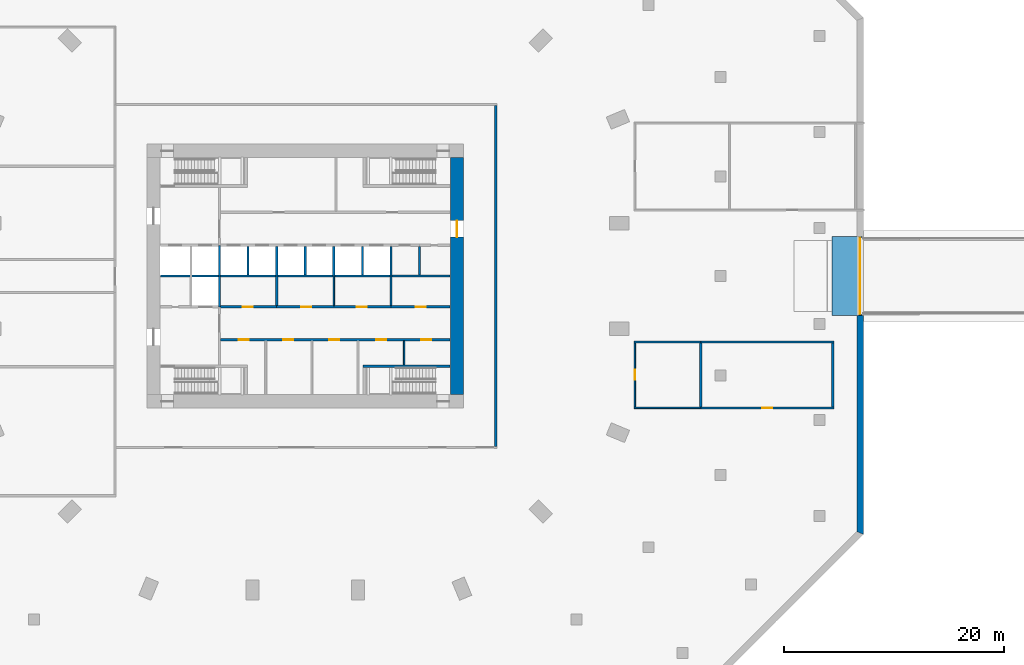
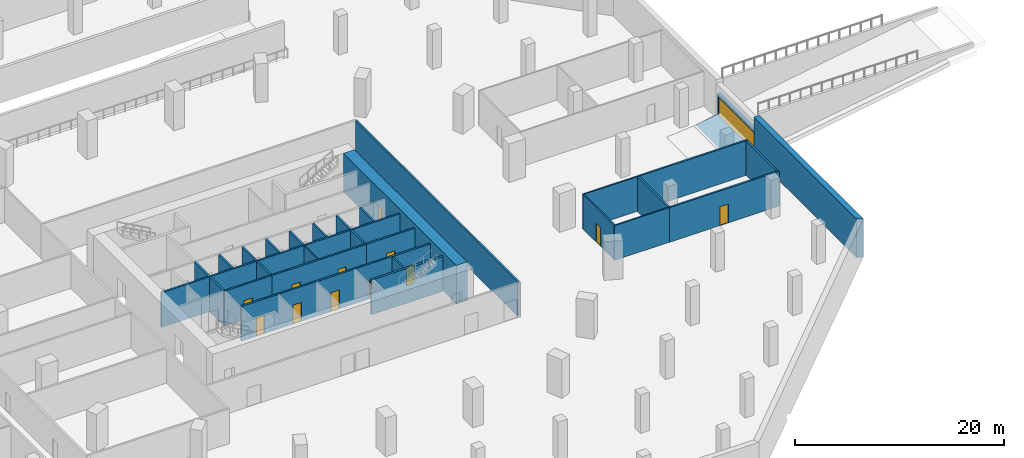
# One storey, part 6 of 11: 32 walls, 13 doors, 13 openings.
"""IFC4 building model written with IfcOpenShell, lengths in metres."""

from ifc_helpers import new_model, si_unit, direction, frame, frame_2d, origin, place, context, subcontext, project, spatial, polyline, rectangle, outline, extrude, material, layer, layer_set, type_object, element, fill, save


model = new_model("IFC4")

# Units and contexts
model_context = context("Model", 3, precision=1e-05, world=origin(), true_north=direction((0.0, 1.0)))
body_context = subcontext(model_context, "Body", "Model", "MODEL_VIEW")
ifc_project = project(units=[si_unit("LENGTHUNIT", "METRE"), si_unit("AREAUNIT", "SQUARE_METRE"), si_unit("VOLUMEUNIT", "CUBIC_METRE"), si_unit("PLANEANGLEUNIT", "RADIAN"), si_unit("MASSUNIT", "GRAM", prefix="KILO")], contexts=[model_context])

# Site, building, storey
site_placement = place(None, origin())
site = spatial("IfcSite", under=ifc_project, at=site_placement, CompositionType="ELEMENT")
building_placement = place(site_placement, origin())
building = spatial("IfcBuilding", under=site, at=building_placement, Name="Msitu Wima Residences", CompositionType="ELEMENT")
storey_placement = place(building_placement, frame((0.0, 0.0, -4.5)))
storey = spatial("IfcBuildingStorey", under=building, at=storey_placement, Name="B1", CompositionType="ELEMENT", Elevation=-4.5)

# Wall, opening, door
ifc_material_1 = material(Name="Concrete C80/95", Category="concrete")
ifc_layer_1 = layer(ifc_material_1, 1.199951171875)
ifc_layer_set_1 = layer_set([ifc_layer_1], Name="Concrete C80/95")
wall_type_1 = type_object("IfcWallType", Name="Core wall CW1200 C80/95", PredefinedType="SHEAR", material=ifc_layer_set_1)
wall_1_placement = place(storey_placement, frame((13.800048828125, -10.800048828125, 0.0), z_axis=(0.0, 0.0, 1.0), x_axis=(0.0, 1.0, 0.0)))
wall_1 = element("IfcWall", 1, at=wall_1_placement, inside=storey, type_object=wall_type_1, Name="Core wall", PredefinedType="SHEAR", context=body_context, shape_type="SweptSolid", body=[
    extrude(rectangle(XDim=21.60009765625, YDim=1.199951171875, at=frame_2d((10.800048828125, 0.0))), origin(), (0.0, 0.0, 1.0), 4.5),
])
opening_1_placement = place(wall_1_placement, frame((14.35009765625, 0.0, 0.0)))
opening_1 = element("IfcOpeningElement", 2, at=opening_1_placement, cuts=wall_1, Name="Opening DB1.037", PredefinedType="OPENING", context=body_context, shape_type="SweptSolid", body=[
    extrude(rectangle(XDim=1.5, YDim=2.39990234375, at=frame_2d((0.75, 1.199951171875))), frame((0.0, 0.60986328125, 0.0), z_axis=(0.0, -1.0, 0.0), x_axis=(1.0, 0.0, 0.0)), (0.0, 0.0, 1.0), 1.219970703125),
])
ifc_material_2 = material(Name="Steel framed glazed door, fire resisting", Category="steel")
door_type_1 = type_object("IfcDoorType", Name="Lobby door D07 1500x2400", OperationType="DOUBLE_DOOR_SINGLE_SWING", PredefinedType="DOOR", material=ifc_material_2)
door_1_placement = place(opening_1_placement, origin())
door_1 = element("IfcDoor", 3, at=door_1_placement, inside=storey, type_object=door_type_1, Name="Lobby door", OperationType="DOUBLE_DOOR_SINGLE_SWING", OverallHeight=2.39990234375, OverallWidth=1.5, PredefinedType="DOOR", context=body_context, shape_type="SweptSolid", body=[
    extrude(rectangle(XDim=1.5, YDim=2.39990234375, at=frame_2d((0.75, 1.199951171875))), frame((0.0, 0.02490234375, 0.0), z_axis=(0.0, -1.0, 0.0), x_axis=(1.0, 0.0, 0.0)), (0.0, 0.0, 1.0), 0.050048828125),
])
fill(opening_1, door_1)

# Wall, openings, doors
ifc_material_3 = material(Name="Plaster")
ifc_layer_2 = layer(ifc_material_3, 0.011962890625, Name="Plaster")
ifc_material_4 = material(Name="Concrete blockwork", Category="masonry")
ifc_layer_3 = layer(ifc_material_4, 0.176025390625, Name="Concrete blockwork")
ifc_layer_4 = layer(ifc_material_3, 0.011962890625, Name="Plaster")
ifc_layer_set_2 = layer_set([ifc_layer_2, ifc_layer_3, ifc_layer_4], Name="Concrete blockwork")
wall_type_2 = type_object("IfcWallType", Name="Corridor wall FW200", PredefinedType="PARTITIONING", material=ifc_layer_set_2)
wall_2_placement = place(storey_placement, frame((-7.699951171875, -5.800048828125, 0.0), z_axis=(0.0, 0.0, 1.0), x_axis=(1.0, 0.0, 0.0)))
wall_2 = element("IfcWall", 4, at=wall_2_placement, inside=storey, type_object=wall_type_2, Name="Corridor wall", PredefinedType="PARTITIONING", context=body_context, shape_type="SweptSolid", body=[
    extrude(rectangle(XDim=20.869873046875, YDim=0.199951171875, at=frame_2d((10.43505859375, 0.0))), origin(), (0.0, 0.0, 1.0), 4.048095703125),
])
opening_2_placement = place(wall_2_placement, frame((1.64990234375, 0.0, 0.0)))
opening_2 = element("IfcOpeningElement", 5, at=opening_2_placement, cuts=wall_2, Name="Opening DB1.006", PredefinedType="OPENING", context=body_context, shape_type="SweptSolid", body=[
    extrude(rectangle(XDim=0.89990234375, YDim=2.199951171875, at=frame_2d((0.449951171875, 1.10009765625))), frame((0.0, 0.10986328125, 0.0), z_axis=(0.0, -1.0, 0.0), x_axis=(1.0, 0.0, 0.0)), (0.0, 0.0, 1.0), 0.219970703125),
])
opening_3_placement = place(wall_2_placement, frame((5.699951171875, 0.0, 0.0)))
opening_3 = element("IfcOpeningElement", 6, at=opening_3_placement, cuts=wall_2, Name="Opening DB1.007", PredefinedType="OPENING", context=body_context, shape_type="SweptSolid", body=[
    extrude(rectangle(XDim=0.89990234375, YDim=2.199951171875, at=frame_2d((0.449951171875, 1.10009765625))), frame((0.0, 0.10986328125, 0.0), z_axis=(0.0, -1.0, 0.0), x_axis=(1.0, 0.0, 0.0)), (0.0, 0.0, 1.0), 0.219970703125),
])
opening_4_placement = place(wall_2_placement, frame((9.89990234375, 0.0, 0.0)))
opening_4 = element("IfcOpeningElement", 7, at=opening_4_placement, cuts=wall_2, Name="Opening DB1.008", PredefinedType="OPENING", context=body_context, shape_type="SweptSolid", body=[
    extrude(rectangle(XDim=0.89990234375, YDim=2.199951171875, at=frame_2d((0.449951171875, 1.10009765625))), frame((0.0, 0.10986328125, 0.0), z_axis=(0.0, -1.0, 0.0), x_axis=(1.0, 0.0, 0.0)), (0.0, 0.0, 1.0), 0.219970703125),
])
opening_5_placement = place(wall_2_placement, frame((14.14990234375, 0.0, 0.0)))
opening_5 = element("IfcOpeningElement", 8, at=opening_5_placement, cuts=wall_2, Name="Opening DB1.009", PredefinedType="OPENING", context=body_context, shape_type="SweptSolid", body=[
    extrude(rectangle(XDim=0.89990234375, YDim=2.199951171875, at=frame_2d((0.449951171875, 1.10009765625))), frame((0.0, 0.10986328125, 0.0), z_axis=(0.0, -1.0, 0.0), x_axis=(1.0, 0.0, 0.0)), (0.0, 0.0, 1.0), 0.219970703125),
])
opening_6_placement = place(wall_2_placement, frame((18.25, 0.0, 0.0)))
opening_6 = element("IfcOpeningElement", 9, at=opening_6_placement, cuts=wall_2, Name="Opening DB1.010", PredefinedType="OPENING", context=body_context, shape_type="SweptSolid", body=[
    extrude(rectangle(XDim=0.89990234375, YDim=2.199951171875, at=frame_2d((0.449951171875, 1.10009765625))), frame((0.0, 0.10986328125, 0.0), z_axis=(0.0, -1.0, 0.0), x_axis=(1.0, 0.0, 0.0)), (0.0, 0.0, 1.0), 0.219970703125),
])
ifc_material_5 = material(Name="Timber flush door", Category="wood")
door_type_2 = type_object("IfcDoorType", Name="Service door D05 900x2200", OperationType="SINGLE_SWING_LEFT", PredefinedType="DOOR", material=ifc_material_5)
door_2_placement = place(opening_2_placement, origin())
door_2 = element("IfcDoor", 10, at=door_2_placement, inside=storey, type_object=door_type_2, Name="Service door", OperationType="SINGLE_SWING_LEFT", OverallHeight=2.199951171875, OverallWidth=0.89990234375, PredefinedType="DOOR", context=body_context, shape_type="SweptSolid", body=[
    extrude(rectangle(XDim=0.89990234375, YDim=2.199951171875, at=frame_2d((0.449951171875, 1.10009765625))), frame((0.0, 0.02490234375, 0.0), z_axis=(0.0, -1.0, 0.0), x_axis=(1.0, 0.0, 0.0)), (0.0, 0.0, 1.0), 0.050048828125),
])
fill(opening_2, door_2)
door_3_placement = place(opening_3_placement, origin())
door_3 = element("IfcDoor", 11, at=door_3_placement, inside=storey, type_object=door_type_2, Name="Service door", OperationType="SINGLE_SWING_RIGHT", OverallHeight=2.199951171875, OverallWidth=0.89990234375, PredefinedType="DOOR", context=body_context, shape_type="SweptSolid", body=[
    extrude(rectangle(XDim=0.89990234375, YDim=2.199951171875, at=frame_2d((0.449951171875, 1.10009765625))), frame((0.0, 0.02490234375, 0.0), z_axis=(0.0, -1.0, 0.0), x_axis=(1.0, 0.0, 0.0)), (0.0, 0.0, 1.0), 0.050048828125),
])
fill(opening_3, door_3)
door_4_placement = place(opening_4_placement, origin())
door_4 = element("IfcDoor", 12, at=door_4_placement, inside=storey, type_object=door_type_2, Name="Service door", OperationType="SINGLE_SWING_RIGHT", OverallHeight=2.199951171875, OverallWidth=0.89990234375, PredefinedType="DOOR", context=body_context, shape_type="SweptSolid", body=[
    extrude(rectangle(XDim=0.89990234375, YDim=2.199951171875, at=frame_2d((0.449951171875, 1.10009765625))), frame((0.0, 0.02490234375, 0.0), z_axis=(0.0, -1.0, 0.0), x_axis=(1.0, 0.0, 0.0)), (0.0, 0.0, 1.0), 0.050048828125),
])
fill(opening_4, door_4)
door_5_placement = place(opening_5_placement, origin())
door_5 = element("IfcDoor", 13, at=door_5_placement, inside=storey, type_object=door_type_2, Name="Service door", OperationType="SINGLE_SWING_LEFT", OverallHeight=2.199951171875, OverallWidth=0.89990234375, PredefinedType="DOOR", context=body_context, shape_type="SweptSolid", body=[
    extrude(rectangle(XDim=0.89990234375, YDim=2.199951171875, at=frame_2d((0.449951171875, 1.10009765625))), frame((0.0, 0.02490234375, 0.0), z_axis=(0.0, -1.0, 0.0), x_axis=(1.0, 0.0, 0.0)), (0.0, 0.0, 1.0), 0.050048828125),
])
fill(opening_5, door_5)
door_6_placement = place(opening_6_placement, origin())
door_6 = element("IfcDoor", 14, at=door_6_placement, inside=storey, type_object=door_type_2, Name="Service door", OperationType="SINGLE_SWING_RIGHT", OverallHeight=2.199951171875, OverallWidth=0.89990234375, PredefinedType="DOOR", context=body_context, shape_type="SweptSolid", body=[
    extrude(rectangle(XDim=0.89990234375, YDim=2.199951171875, at=frame_2d((0.449951171875, 1.10009765625))), frame((0.0, 0.02490234375, 0.0), z_axis=(0.0, -1.0, 0.0), x_axis=(1.0, 0.0, 0.0)), (0.0, 0.0, 1.0), 0.050048828125),
])
fill(opening_6, door_6)

wall_3_placement = place(storey_placement, frame((-2.6201171875, -2.800048828125, 0.0), z_axis=(0.0, 0.0, 1.0), x_axis=(1.0, 0.0, 0.0)))
wall_3 = element("IfcWall", 15, at=wall_3_placement, inside=storey, type_object=wall_type_2, Name="Corridor wall", PredefinedType="PARTITIONING", context=body_context, shape_type="SweptSolid", body=[
    extrude(rectangle(XDim=10.440185546875, YDim=0.199951171875, at=frame_2d((5.22021484375, 0.0))), origin(), (0.0, 0.0, 1.0), 4.048095703125),
])
opening_7_placement = place(wall_3_placement, frame((2.25, 0.0, 0.0)))
opening_7 = element("IfcOpeningElement", 16, at=opening_7_placement, cuts=wall_3, Name="Opening DB1.015", PredefinedType="OPENING", context=body_context, shape_type="SweptSolid", body=[
    extrude(rectangle(XDim=0.89990234375, YDim=2.199951171875, at=frame_2d((0.449951171875, 1.10009765625))), frame((0.0, 0.10986328125, 0.0), z_axis=(0.0, -1.0, 0.0), x_axis=(1.0, 0.0, 0.0)), (0.0, 0.0, 1.0), 0.219970703125),
])
opening_8_placement = place(wall_3_placement, frame((7.300048828125, 0.0, 0.0)))
opening_8 = element("IfcOpeningElement", 17, at=opening_8_placement, cuts=wall_3, Name="Opening DB1.016", PredefinedType="OPENING", context=body_context, shape_type="SweptSolid", body=[
    extrude(rectangle(XDim=0.89990234375, YDim=2.199951171875, at=frame_2d((0.449951171875, 1.10009765625))), frame((0.0, 0.10986328125, 0.0), z_axis=(0.0, -1.0, 0.0), x_axis=(1.0, 0.0, 0.0)), (0.0, 0.0, 1.0), 0.219970703125),
])
door_7_placement = place(opening_7_placement, origin())
door_7 = element("IfcDoor", 18, at=door_7_placement, inside=storey, type_object=door_type_2, Name="Service door", OperationType="SINGLE_SWING_RIGHT", OverallHeight=2.199951171875, OverallWidth=0.89990234375, PredefinedType="DOOR", context=body_context, shape_type="SweptSolid", body=[
    extrude(rectangle(XDim=0.89990234375, YDim=2.199951171875, at=frame_2d((0.449951171875, 1.10009765625))), frame((0.0, 0.02490234375, 0.0), z_axis=(0.0, -1.0, 0.0), x_axis=(1.0, 0.0, 0.0)), (0.0, 0.0, 1.0), 0.050048828125),
])
fill(opening_7, door_7)
door_8_placement = place(opening_8_placement, origin())
door_8 = element("IfcDoor", 19, at=door_8_placement, inside=storey, type_object=door_type_2, Name="Service door", OperationType="SINGLE_SWING_LEFT", OverallHeight=2.199951171875, OverallWidth=0.89990234375, PredefinedType="DOOR", context=body_context, shape_type="SweptSolid", body=[
    extrude(rectangle(XDim=0.89990234375, YDim=2.199951171875, at=frame_2d((0.449951171875, 1.10009765625))), frame((0.0, 0.02490234375, 0.0), z_axis=(0.0, -1.0, 0.0), x_axis=(1.0, 0.0, 0.0)), (0.0, 0.0, 1.0), 0.050048828125),
])
fill(opening_8, door_8)

# Walls
wall_4_placement = place(storey_placement, frame((17.327880859375, -15.5, 0.0), z_axis=(0.0, 0.0, 1.0), x_axis=(0.0, 1.0, 0.0)))
element("IfcWall", 20, at=wall_4_placement, inside=storey, type_object=wall_type_2, Name="Corridor wall", PredefinedType="PARTITIONING", context=body_context, shape_type="SweptSolid", body=[
    extrude(rectangle(XDim=31.0, YDim=0.199951171875, at=frame_2d((15.5, 0.0))), origin(), (0.0, 0.0, 1.0), 4.048095703125),
])
ifc_layer_5 = layer(ifc_material_3, 0.011962890625, Name="Plaster")
ifc_layer_6 = layer(ifc_material_4, 0.1259765625, Name="Concrete blockwork")
ifc_layer_7 = layer(ifc_material_3, 0.011962890625, Name="Plaster")
ifc_layer_set_3 = layer_set([ifc_layer_5, ifc_layer_6, ifc_layer_7], Name="Concrete blockwork")
wall_type_3 = type_object("IfcWallType", Name="Partition PW150", PredefinedType="PARTITIONING", material=ifc_layer_set_3)
wall_5_placement = place(storey_placement, frame((2.60009765625, -2.699951171875, 0.0), z_axis=(0.0, 0.0, 1.0), x_axis=(0.0, 1.0, 0.0)))
element("IfcWall", 21, at=wall_5_placement, inside=storey, type_object=wall_type_3, Name="Partition", PredefinedType="PARTITIONING", context=body_context, shape_type="SweptSolid", body=[
    extrude(rectangle(XDim=2.699951171875, YDim=0.14990234375, at=frame_2d((1.35009765625, 0.0))), origin(), (0.0, 0.0, 1.0), 4.048095703125),
])
wall_6_placement = place(storey_placement, frame((9.0, -8.074951171875, 0.0), z_axis=(0.0, 0.0, 1.0), x_axis=(0.0, 1.0, 0.0)))
element("IfcWall", 22, at=wall_6_placement, inside=storey, type_object=wall_type_3, Name="Partition", PredefinedType="PARTITIONING", context=body_context, shape_type="SweptSolid", body=[
    extrude(rectangle(XDim=2.175048828125, YDim=0.14990234375, at=frame_2d((1.08740234375, 0.0))), origin(), (0.0, 0.0, 1.0), 4.048095703125),
])

# Wall, opening, door
wall_7_placement = place(storey_placement, frame((30.0, -11.925048828125, 0.0), z_axis=(0.0, 0.0, 1.0), x_axis=(0.0, 1.0, 0.0)))
wall_7 = element("IfcWall", 23, at=wall_7_placement, inside=storey, type_object=wall_type_3, Name="Partition", PredefinedType="PARTITIONING", context=body_context, shape_type="SweptSolid", body=[
    extrude(rectangle(XDim=5.85009765625, YDim=0.14990234375, at=frame_2d((2.925048828125, 0.0))), origin(), (0.0, 0.0, 1.0), 4.048095703125),
])
opening_9_placement = place(wall_7_placement, frame((2.5, 0.0, 0.0)))
opening_9 = element("IfcOpeningElement", 24, at=opening_9_placement, cuts=wall_7, Name="Opening DB1.034", PredefinedType="OPENING", context=body_context, shape_type="SweptSolid", body=[
    extrude(rectangle(XDim=0.89990234375, YDim=2.199951171875, at=frame_2d((0.449951171875, 1.10009765625))), frame((0.0, 0.0849609375, 0.0), z_axis=(0.0, -1.0, 0.0), x_axis=(1.0, 0.0, 0.0)), (0.0, 0.0, 1.0), 0.169921875),
])
door_9_placement = place(opening_9_placement, origin())
door_9 = element("IfcDoor", 25, at=door_9_placement, inside=storey, type_object=door_type_2, Name="Service door", OperationType="SINGLE_SWING_LEFT", OverallHeight=2.199951171875, OverallWidth=0.89990234375, PredefinedType="DOOR", context=body_context, shape_type="SweptSolid", body=[
    extrude(rectangle(XDim=0.89990234375, YDim=2.199951171875, at=frame_2d((0.449951171875, 1.10009765625))), frame((0.0, 0.02490234375, 0.0), z_axis=(0.0, -1.0, 0.0), x_axis=(1.0, 0.0, 0.0)), (0.0, 0.0, 1.0), 0.050048828125),
])
fill(opening_9, door_9)

# Walls
for number, where, z_axis, x_axis, name in (
    (26, (29.925048828125, -12.0, 0.0), (0.0, 0.0, 1.0), (1.0, 0.0, 0.0), "Partition"),
    (27, (29.925048828125, -6.0, 0.0), (0.0, 0.0, 1.0), (1.0, 0.0, 0.0), "Partition"),
):
    element("IfcWall", number, at=place(storey_placement, frame(where, z_axis=z_axis, x_axis=x_axis)), inside=storey, type_object=wall_type_3, Name=name, PredefinedType="PARTITIONING", context=body_context, shape_type="SweptSolid", body=[
        extrude(rectangle(XDim=6.054931640625, YDim=0.14990234375, at=frame_2d((3.02734375, 0.0))), origin(), (0.0, 0.0, 1.0), 4.048095703125),
    ])

# Wall, opening, door
ifc_layer_8 = layer(ifc_material_3, 0.011962890625, Name="Plaster")
ifc_material_6 = material(Name="Reinforced concrete blockwork", Category="masonry")
ifc_layer_9 = layer(ifc_material_6, 0.176025390625, Name="Reinforced concrete blockwork")
ifc_layer_10 = layer(ifc_material_3, 0.011962890625, Name="Plaster")
ifc_layer_set_4 = layer_set([ifc_layer_8, ifc_layer_9, ifc_layer_10], Name="Reinforced concrete blockwork")
wall_type_4 = type_object("IfcWallType", Name="Plant and riser wall PL200", PredefinedType="PARTITIONING", material=ifc_layer_set_4)
wall_8_placement = place(storey_placement, frame((-7.820068359375, -2.800048828125, 0.0), z_axis=(0.0, 0.0, 1.0), x_axis=(1.0, 0.0, 0.0)))
wall_8 = element("IfcWall", 28, at=wall_8_placement, inside=storey, type_object=wall_type_4, Name="Plant and riser wall", PredefinedType="PARTITIONING", context=body_context, shape_type="SweptSolid", body=[
    extrude(rectangle(XDim=5.199951171875, YDim=0.199951171875, at=frame_2d((2.60009765625, 0.0))), origin(), (0.0, 0.0, 1.0), 4.048095703125),
])
opening_10_placement = place(wall_8_placement, frame((2.14990234375, 0.0, 0.0)))
opening_10 = element("IfcOpeningElement", 29, at=opening_10_placement, cuts=wall_8, Name="Opening DB1.014", PredefinedType="OPENING", context=body_context, shape_type="SweptSolid", body=[
    extrude(rectangle(XDim=0.89990234375, YDim=2.199951171875, at=frame_2d((0.449951171875, 1.10009765625))), frame((0.0, 0.10986328125, 0.0), z_axis=(0.0, -1.0, 0.0), x_axis=(1.0, 0.0, 0.0)), (0.0, 0.0, 1.0), 0.219970703125),
])
door_10_placement = place(opening_10_placement, origin())
door_10 = element("IfcDoor", 30, at=door_10_placement, inside=storey, type_object=door_type_2, Name="Service door", OperationType="SINGLE_SWING_LEFT", OverallHeight=2.199951171875, OverallWidth=0.89990234375, PredefinedType="DOOR", context=body_context, shape_type="SweptSolid", body=[
    extrude(rectangle(XDim=0.89990234375, YDim=2.199951171875, at=frame_2d((0.449951171875, 1.10009765625))), frame((0.0, 0.02490234375, 0.0), z_axis=(0.0, -1.0, 0.0), x_axis=(1.0, 0.0, 0.0)), (0.0, 0.0, 1.0), 0.050048828125),
])
fill(opening_10, door_10)

# Wall
wall_9_placement = place(storey_placement, frame((-2.60009765625, -2.699951171875, 0.0), z_axis=(0.0, 0.0, 1.0), x_axis=(0.0, 1.0, 0.0)))
element("IfcWall", 31, at=wall_9_placement, inside=storey, type_object=wall_type_4, Name="Plant and riser wall", PredefinedType="PARTITIONING", context=body_context, shape_type="SweptSolid", body=[
    extrude(rectangle(XDim=2.699951171875, YDim=0.199951171875, at=frame_2d((1.35009765625, 0.0))), origin(), (0.0, 0.0, 1.0), 4.048095703125),
])

# Wall, opening, door
wall_10_placement = place(storey_placement, frame((7.820068359375, -2.800048828125, 0.0), z_axis=(0.0, 0.0, 1.0), x_axis=(1.0, 0.0, 0.0)))
wall_10 = element("IfcWall", 32, at=wall_10_placement, inside=storey, type_object=wall_type_4, Name="Plant and riser wall", PredefinedType="PARTITIONING", context=body_context, shape_type="SweptSolid", body=[
    extrude(rectangle(XDim=5.349853515625, YDim=0.199951171875, at=frame_2d((2.6748046875, 0.0))), origin(), (0.0, 0.0, 1.0), 4.048095703125),
])
opening_11_placement = place(wall_10_placement, frame((2.25, 0.0, 0.0)))
opening_11 = element("IfcOpeningElement", 33, at=opening_11_placement, cuts=wall_10, Name="Opening DB1.001", PredefinedType="OPENING", context=body_context, shape_type="SweptSolid", body=[
    extrude(rectangle(XDim=0.89990234375, YDim=2.199951171875, at=frame_2d((0.449951171875, 1.10009765625))), frame((0.0, 0.10986328125, 0.0), z_axis=(0.0, -1.0, 0.0), x_axis=(1.0, 0.0, 0.0)), (0.0, 0.0, 1.0), 0.219970703125),
])
door_11_placement = place(opening_11_placement, origin())
door_11 = element("IfcDoor", 34, at=door_11_placement, inside=storey, type_object=door_type_2, Name="Service door", OperationType="SINGLE_SWING_LEFT", OverallHeight=2.199951171875, OverallWidth=0.89990234375, PredefinedType="DOOR", context=body_context, shape_type="SweptSolid", body=[
    extrude(rectangle(XDim=0.89990234375, YDim=2.199951171875, at=frame_2d((0.449951171875, 1.10009765625))), frame((0.0, 0.02490234375, 0.0), z_axis=(0.0, -1.0, 0.0), x_axis=(1.0, 0.0, 0.0)), (0.0, 0.0, 1.0), 0.050048828125),
])
fill(opening_11, door_11)

# Walls
wall_11_placement = place(storey_placement, frame((7.800048828125, -2.699951171875, 0.0), z_axis=(0.0, 0.0, 1.0), x_axis=(0.0, 1.0, 0.0)))
element("IfcWall", 35, at=wall_11_placement, inside=storey, type_object=wall_type_4, Name="Plant and riser wall", PredefinedType="PARTITIONING", context=body_context, shape_type="SweptSolid", body=[
    extrude(rectangle(XDim=2.699951171875, YDim=0.199951171875, at=frame_2d((1.35009765625, 0.0))), origin(), (0.0, 0.0, 1.0), 4.048095703125),
])
wall_12_placement = place(storey_placement, frame((7.800048828125, 0.0, 0.0), z_axis=(0.0, 0.0, 1.0), x_axis=(1.0, 0.0, 0.0)))
element("IfcWall", 36, at=wall_12_placement, inside=storey, type_object=wall_type_4, Name="Plant and riser wall", PredefinedType="PARTITIONING", context=body_context, shape_type="SweptSolid", body=[
    extrude(rectangle(XDim=5.369873046875, YDim=0.199951171875, at=frame_2d((2.68505859375, 0.0))), origin(), (0.0, 0.0, 1.0), 4.048095703125),
])
wall_13_placement = place(storey_placement, frame((10.39990234375, 0.10009765625, 0.0), z_axis=(0.0, 0.0, 1.0), x_axis=(0.0, 1.0, 0.0)))
element("IfcWall", 37, at=wall_13_placement, inside=storey, type_object=wall_type_4, Name="Plant and riser wall", PredefinedType="PARTITIONING", context=body_context, shape_type="SweptSolid", body=[
    extrude(rectangle(XDim=2.599853515625, YDim=0.199951171875, at=frame_2d((1.2998046875, 0.0))), origin(), (0.0, 0.0, 1.0), 4.048095703125),
])

# Wall, opening, door
wall_14_placement = place(storey_placement, frame((35.97998046875, -12.0, 0.0), z_axis=(0.0, 0.0, 1.0), x_axis=(1.0, 0.0, 0.0)))
wall_14 = element("IfcWall", 38, at=wall_14_placement, inside=storey, type_object=wall_type_4, Name="Plant and riser wall", PredefinedType="PARTITIONING", context=body_context, shape_type="SweptSolid", body=[
    extrude(rectangle(XDim=12.1201171875, YDim=0.199951171875, at=frame_2d((6.06005859375, 0.0))), origin(), (0.0, 0.0, 1.0), 4.048095703125),
])
opening_12_placement = place(wall_14_placement, frame((5.60009765625, 0.0, 0.0)))
opening_12 = element("IfcOpeningElement", 39, at=opening_12_placement, cuts=wall_14, Name="Opening DB1.035", PredefinedType="OPENING", context=body_context, shape_type="SweptSolid", body=[
    extrude(rectangle(XDim=0.89990234375, YDim=2.199951171875, at=frame_2d((0.449951171875, 1.10009765625))), frame((0.0, 0.10986328125, 0.0), z_axis=(0.0, -1.0, 0.0), x_axis=(1.0, 0.0, 0.0)), (0.0, 0.0, 1.0), 0.219970703125),
])
door_12_placement = place(opening_12_placement, origin())
door_12 = element("IfcDoor", 40, at=door_12_placement, inside=storey, type_object=door_type_2, Name="Service door", OperationType="SINGLE_SWING_LEFT", OverallHeight=2.199951171875, OverallWidth=0.89990234375, PredefinedType="DOOR", context=body_context, shape_type="SweptSolid", body=[
    extrude(rectangle(XDim=0.89990234375, YDim=2.199951171875, at=frame_2d((0.449951171875, 1.10009765625))), frame((0.0, 0.02490234375, 0.0), z_axis=(0.0, -1.0, 0.0), x_axis=(1.0, 0.0, 0.0)), (0.0, 0.0, 1.0), 0.050048828125),
])
fill(opening_12, door_12)

# Walls
wall_15_placement = place(storey_placement, frame((35.97998046875, -6.0, 0.0), z_axis=(0.0, 0.0, 1.0), x_axis=(1.0, 0.0, 0.0)))
element("IfcWall", 41, at=wall_15_placement, inside=storey, type_object=wall_type_4, Name="Plant and riser wall", PredefinedType="PARTITIONING", context=body_context, shape_type="SweptSolid", body=[
    extrude(rectangle(XDim=12.1201171875, YDim=0.199951171875, at=frame_2d((6.06005859375, 0.0))), origin(), (0.0, 0.0, 1.0), 4.048095703125),
])
for number, where, z_axis, x_axis, name in (
    (42, (36.0, -11.89990234375, 0.0), (0.0, 0.0, 1.0), (0.0, 1.0, 0.0), "Plant and riser wall"),
    (43, (48.0, -11.89990234375, 0.0), (0.0, 0.0, 1.0), (0.0, 1.0, 0.0), "Plant and riser wall"),
):
    element("IfcWall", number, at=place(storey_placement, frame(where, z_axis=z_axis, x_axis=x_axis)), inside=storey, type_object=wall_type_4, Name=name, PredefinedType="PARTITIONING", context=body_context, shape_type="SweptSolid", body=[
        extrude(rectangle(XDim=5.7998046875, YDim=0.199951171875, at=frame_2d((2.89990234375, 0.0))), origin(), (0.0, 0.0, 1.0), 4.048095703125),
    ])
ifc_material_7 = material(Name="Concrete C60/75", Category="concrete")
ifc_layer_11 = layer(ifc_material_7, 7.199951171875)
ifc_layer_set_5 = layer_set([ifc_layer_11], Name="Concrete C60/75")
wall_type_5 = type_object("IfcWallType", Name="Ramp bearing block RB1", PredefinedType="SOLIDWALL", material=ifc_layer_set_5)
wall_16_placement = place(storey_placement, frame((47.919921875, 0.0, 0.0), z_axis=(0.0, 0.0, 1.0), x_axis=(1.0, 0.0, 0.0)))
element("IfcWall", 44, at=wall_16_placement, inside=storey, type_object=wall_type_5, Name="Entry ramp bearing block", PredefinedType="SOLIDWALL", context=body_context, shape_type="SweptSolid", body=[
    extrude(outline(polyline([(0.0, 0.0), (2.419921875, 0.0), (2.419921875, 0.42333984375), (0.0, 0.02001953125), (0.0, 0.0)])), frame((0.0, 3.60009765625, 0.0), z_axis=(0.0, -1.0, 0.0), x_axis=(1.0, 0.0, 0.0)), (0.0, 0.0, 1.0), 7.199951171875),
])
ifc_layer_12 = layer(ifc_material_7, 0.60009765625)
ifc_layer_set_6 = layer_set([ifc_layer_12], Name="Concrete C60/75")
wall_type_6 = type_object("IfcWallType", Name="Retaining wall RW600", PredefinedType="SOLIDWALL", material=ifc_layer_set_6)
wall_17_placement = place(storey_placement, origin())
element("IfcWall", 45, at=wall_17_placement, inside=storey, type_object=wall_type_6, Name="Basement retaining wall E B1", PredefinedType="SOLIDWALL", context=body_context, shape_type="SweptSolid", body=[
    extrude(outline(polyline([(50.800048828125, -23.5126953125), (50.800048828125, -3.60009765625), (50.199951171875, -3.60009765625), (50.199951171875, -23.26416015625), (50.800048828125, -23.5126953125)])), origin(), (0.0, 0.0, 1.0), 4.5),
])
ifc_material_8 = material(Name="Fire-rated board")
ifc_layer_13 = layer(ifc_material_8, 0.02490234375, Name="Fire-rated board")
ifc_material_9 = material(Name="Light-gauge stud framing with mineral wool")
ifc_layer_14 = layer(ifc_material_9, 0.14990234375, Name="Light-gauge stud framing with mineral wool")
ifc_layer_15 = layer(ifc_material_8, 0.02490234375, Name="Fire-rated board")
ifc_layer_set_7 = layer_set([ifc_layer_13, ifc_layer_14, ifc_layer_15], Name="Light-gauge stud framing with mineral wool")
wall_type_7 = type_object("IfcWallType", Name="Shaft wall SH200", PredefinedType="PARTITIONING", material=ifc_layer_set_7)
wall_18_placement = place(storey_placement, frame((-13.169921875, 0.0, 0.0), z_axis=(0.0, 0.0, 1.0), x_axis=(1.0, 0.0, 0.0)))
element("IfcWall", 46, at=wall_18_placement, inside=storey, type_object=wall_type_7, Name="Shaft wall", PredefinedType="PARTITIONING", context=body_context, shape_type="SweptSolid", body=[
    extrude(rectangle(XDim=20.969970703125, YDim=0.199951171875, at=frame_2d((10.48486328125, 0.0))), origin(), (0.0, 0.0, 1.0), 4.048095703125),
])
for number, where, z_axis, x_axis, name in (
    (47, (-7.800048828125, -2.800048828125, 0.0), (0.0, 0.0, 1.0), (0.0, 1.0, 0.0), "Shaft wall"),
    (48, (-7.800048828125, 0.0, 0.0), (0.0, 0.0, 1.0), (0.0, 1.0, 0.0), "Shaft wall"),
):
    element("IfcWall", number, at=place(storey_placement, frame(where, z_axis=z_axis, x_axis=x_axis)), inside=storey, type_object=wall_type_7, Name=name, PredefinedType="PARTITIONING", context=body_context, shape_type="SweptSolid", body=[
        extrude(rectangle(XDim=2.800048828125, YDim=0.199951171875, at=frame_2d((1.39990234375, 0.0))), origin(), (0.0, 0.0, 1.0), 4.048095703125),
    ])
wall_19_placement = place(storey_placement, frame((-5.199951171875, 0.10009765625, 0.0), z_axis=(0.0, 0.0, 1.0), x_axis=(0.0, 1.0, 0.0)))
element("IfcWall", 49, at=wall_19_placement, inside=storey, type_object=wall_type_7, Name="Shaft wall", PredefinedType="PARTITIONING", context=body_context, shape_type="SweptSolid", body=[
    extrude(rectangle(XDim=2.599853515625, YDim=0.199951171875, at=frame_2d((1.2998046875, 0.0))), origin(), (0.0, 0.0, 1.0), 4.048095703125),
])
wall_20_placement = place(storey_placement, frame((-2.60009765625, 0.0, 0.0), z_axis=(0.0, 0.0, 1.0), x_axis=(0.0, 1.0, 0.0)))
element("IfcWall", 50, at=wall_20_placement, inside=storey, type_object=wall_type_7, Name="Shaft wall", PredefinedType="PARTITIONING", context=body_context, shape_type="SweptSolid", body=[
    extrude(rectangle(XDim=2.699951171875, YDim=0.199951171875, at=frame_2d((1.35009765625, 0.0))), origin(), (0.0, 0.0, 1.0), 4.048095703125),
])
wall_21_placement = place(storey_placement, frame((0.0, 0.10009765625, 0.0), z_axis=(0.0, 0.0, 1.0), x_axis=(0.0, 1.0, 0.0)))
element("IfcWall", 51, at=wall_21_placement, inside=storey, type_object=wall_type_7, Name="Shaft wall", PredefinedType="PARTITIONING", context=body_context, shape_type="SweptSolid", body=[
    extrude(rectangle(XDim=2.599853515625, YDim=0.199951171875, at=frame_2d((1.2998046875, 0.0))), origin(), (0.0, 0.0, 1.0), 4.048095703125),
])
wall_22_placement = place(storey_placement, frame((2.60009765625, 0.0, 0.0), z_axis=(0.0, 0.0, 1.0), x_axis=(0.0, 1.0, 0.0)))
element("IfcWall", 52, at=wall_22_placement, inside=storey, type_object=wall_type_7, Name="Shaft wall", PredefinedType="PARTITIONING", context=body_context, shape_type="SweptSolid", body=[
    extrude(rectangle(XDim=2.699951171875, YDim=0.199951171875, at=frame_2d((1.35009765625, 0.0))), origin(), (0.0, 0.0, 1.0), 4.048095703125),
])
wall_23_placement = place(storey_placement, frame((5.199951171875, 0.10009765625, 0.0), z_axis=(0.0, 0.0, 1.0), x_axis=(0.0, 1.0, 0.0)))
element("IfcWall", 53, at=wall_23_placement, inside=storey, type_object=wall_type_7, Name="Shaft wall", PredefinedType="PARTITIONING", context=body_context, shape_type="SweptSolid", body=[
    extrude(rectangle(XDim=2.599853515625, YDim=0.199951171875, at=frame_2d((1.2998046875, 0.0))), origin(), (0.0, 0.0, 1.0), 4.048095703125),
])
wall_24_placement = place(storey_placement, frame((7.800048828125, 0.0, 0.0), z_axis=(0.0, 0.0, 1.0), x_axis=(0.0, 1.0, 0.0)))
element("IfcWall", 54, at=wall_24_placement, inside=storey, type_object=wall_type_7, Name="Shaft wall", PredefinedType="PARTITIONING", context=body_context, shape_type="SweptSolid", body=[
    extrude(rectangle(XDim=2.699951171875, YDim=0.199951171875, at=frame_2d((1.35009765625, 0.0))), origin(), (0.0, 0.0, 1.0), 4.048095703125),
])
ifc_material_10 = material(Name="Concrete C50/60", Category="concrete")
ifc_layer_16 = layer(ifc_material_10, 0.25)
ifc_layer_set_8 = layer_set([ifc_layer_16], Name="Concrete C50/60")
wall_type_8 = type_object("IfcWallType", Name="Stair enclosure wall SW250", PredefinedType="SHEAR", material=ifc_layer_set_8)
wall_25_placement = place(storey_placement, frame((5.27490234375, -8.199951171875, 0.0), z_axis=(0.0, 0.0, 1.0), x_axis=(1.0, 0.0, 0.0)))
element("IfcWall", 55, at=wall_25_placement, inside=storey, type_object=wall_type_8, Name="Stair enclosure wall", PredefinedType="SHEAR", context=body_context, shape_type="SweptSolid", body=[
    extrude(rectangle(XDim=7.89501953125, YDim=0.25, at=frame_2d((3.947509765625, 0.0))), origin(), (0.0, 0.0, 1.0), 4.048095703125),
])

# Wall, opening, door
ifc_material_11 = material(Name="Concrete C40/50", Category="concrete")
ifc_layer_17 = layer(ifc_material_11, 0.300048828125)
ifc_layer_set_9 = layer_set([ifc_layer_17], Name="Concrete C40/50")
wall_type_9 = type_object("IfcWallType", Name="Vehicle gate wall GW300", PredefinedType="SOLIDWALL", material=ifc_layer_set_9)
wall_26_placement = place(storey_placement, frame((50.5, -3.60009765625, 0.0), z_axis=(0.0, 0.0, 1.0), x_axis=(0.0, 1.0, 0.0)))
wall_26 = element("IfcWall", 56, at=wall_26_placement, inside=storey, type_object=wall_type_9, Name="Vehicle entry gate wall", PredefinedType="SOLIDWALL", context=body_context, shape_type="SweptSolid", body=[
    extrude(rectangle(XDim=7.2001953125, YDim=0.300048828125, at=frame_2d((3.60009765625, 0.0))), origin(), (0.0, 0.0, 1.0), 2.85009765625),
])
opening_13_placement = place(wall_26_placement, frame((0.10009765625, 0.0, 0.0)))
opening_13 = element("IfcOpeningElement", 57, at=opening_13_placement, cuts=wall_26, Name="Opening DB1.044", PredefinedType="OPENING", context=body_context, shape_type="SweptSolid", body=[
    extrude(rectangle(XDim=7.0, YDim=2.5, at=frame_2d((3.5, 1.25))), frame((0.0, 0.159912109375, 0.0), z_axis=(0.0, -1.0, 0.0), x_axis=(1.0, 0.0, 0.0)), (0.0, 0.0, 1.0), 0.320068359375),
])
ifc_material_12 = material(Name="Galvanised steel rolling shutter, powder coated", Category="steel")
door_type_3 = type_object("IfcDoorType", Name="Vehicle gate rolling shutter D7000x2500", OperationType="ROLLINGUP", PredefinedType="DOOR", material=ifc_material_12)
door_13_placement = place(opening_13_placement, frame((7.0, 0.0, 0.0), z_axis=(0.0, 0.0, 1.0), x_axis=(-1.0, 0.0, 0.0)))
door_13 = element("IfcDoor", 58, at=door_13_placement, inside=storey, type_object=door_type_3, Name="Vehicle entry gate", OperationType="SINGLE_SWING_LEFT", OverallHeight=2.5, OverallWidth=7.0, PredefinedType="DOOR", context=body_context, shape_type="SweptSolid", body=[
    extrude(rectangle(XDim=7.0, YDim=2.5, at=frame_2d((3.5, 1.25))), frame((0.0, 0.025146484375, 0.0), z_axis=(0.0, -1.0, 0.0), x_axis=(1.0, 0.0, 0.0)), (0.0, 0.0, 1.0), 0.050048828125),
])
fill(opening_13, door_13)

save(model, "model.ifc")
